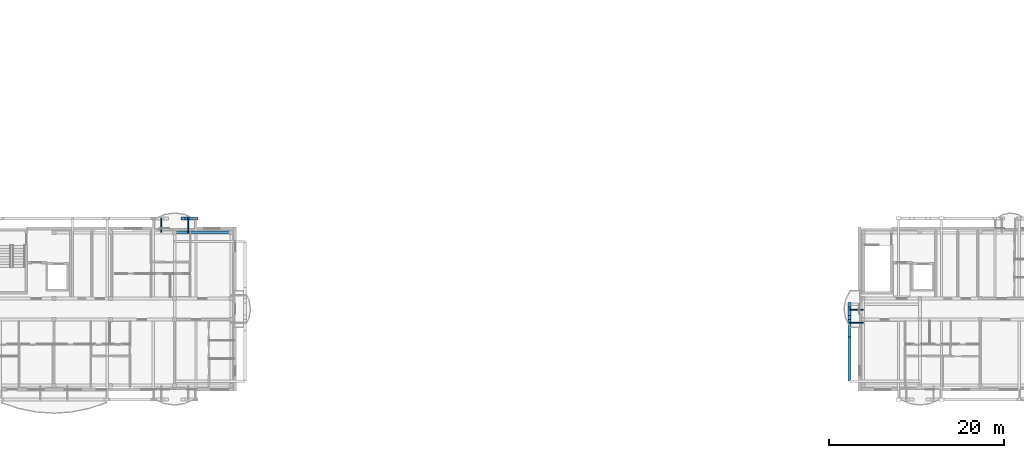
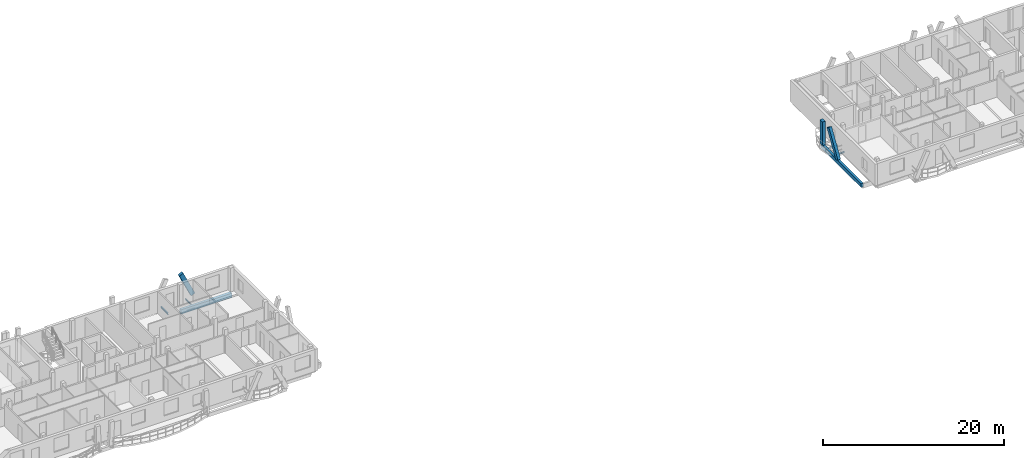
# One storey, part 4 of 41: 6 beams, 3 members.
"""IFC4 building model written with IfcOpenShell, lengths in metres."""

from ifc_helpers import new_model, si_unit, direction, frame, origin, origin_2d, place, context, subcontext, project, spatial, rectangle, i_section, extrude, material, material_profile, profile_set, type_object, element, save


model = new_model("IFC4")

# Units and contexts
model_context = context("Model", 3, precision=1e-05, world=origin(), true_north=direction((0.0, 1.0)))
body_context = subcontext(model_context, "Body", "Model", "MODEL_VIEW")
ifc_project = project(units=[si_unit("LENGTHUNIT", "METRE"), si_unit("AREAUNIT", "SQUARE_METRE"), si_unit("VOLUMEUNIT", "CUBIC_METRE"), si_unit("PLANEANGLEUNIT", "RADIAN"), si_unit("MASSUNIT", "GRAM", prefix="KILO")], contexts=[model_context])

# Site, building, storey
site_placement = place(None, origin())
site = spatial("IfcSite", under=ifc_project, at=site_placement, CompositionType="ELEMENT")
building_placement = place(site_placement, origin())
building = spatial("IfcBuilding", under=site, at=building_placement, Name="Zavelmont Quarter", CompositionType="ELEMENT")
storey_placement = place(building_placement, frame((0.0, 0.0, 27.199951171875)))
storey = spatial("IfcBuildingStorey", under=building, at=storey_placement, Name="L08", CompositionType="ELEMENT", Elevation=27.199951171875)

# Beams
ifc_material_1 = material(Name="Concrete C35/45", Category="concrete")
ifc_material_profile_1 = material_profile(ifc_material_1, rectangle(XDim=0.35009765625, YDim=0.60009765625, at=origin_2d()), Name="RC350X600")
ifc_profile_set_1 = profile_set([ifc_material_profile_1], Name="Concrete C35/45")
beam_type_1 = type_object("IfcBeamType", Name="BM01", PredefinedType="SPANDREL", material=ifc_profile_set_1)
beam_1_placement = place(storey_placement, frame((48.300048828125, 17.9599609375, -0.550048828125), z_axis=(1.0, 0.0, 0.0), x_axis=(0.0, 1.0, 0.0)))
element("IfcBeam", 1, at=beam_1_placement, inside=storey, type_object=beam_type_1, Name="L08 beam BM01 8/D to 9/D", PredefinedType="SPANDREL", context=body_context, shape_type="SweptSolid", body=[
    extrude(rectangle(XDim=0.35009765625, YDim=0.60009765625, at=origin_2d()), origin(), (0.0, 0.0, 1.0), 6.4599609375),
])
ifc_material_profile_2 = material_profile(ifc_material_1, rectangle(XDim=0.300048828125, YDim=0.5, at=origin_2d()), Name="RC300X500")
ifc_profile_set_2 = profile_set([ifc_material_profile_2], Name="Concrete C35/45")
beam_type_2 = type_object("IfcBeamType", Name="BM03", PredefinedType="BEAM", material=ifc_profile_set_2)
beam_2_placement = place(storey_placement, frame((125.449951171875, 0.949951171875, -0.25), z_axis=(0.0, 1.0, 0.0), x_axis=(-1.0, 0.0, 0.0)))
element("IfcBeam", 2, at=beam_2_placement, inside=storey, type_object=beam_type_2, Name="L08 beam BM03 19/A to 19/C", PredefinedType="BEAM", context=body_context, shape_type="SweptSolid", body=[
    extrude(rectangle(XDim=0.300048828125, YDim=0.5, at=origin_2d()), origin(), (0.0, 0.0, 1.0), 8.800048828125),
])
ifc_material_2 = material(Name="Steel S355", Category="steel")
ifc_material_profile_3 = material_profile(ifc_material_2, i_section(OverallWidth=0.110107421875, OverallDepth=0.219970703125, WebThickness=0.005859375, FlangeThickness=0.00927734375, at=origin_2d()), Name="IPE 220")
ifc_profile_set_3 = profile_set([ifc_material_profile_3], Name="Steel S355")
beam_type_3 = type_object("IfcBeamType", Name="BM15", PredefinedType="JOIST", material=ifc_profile_set_3)
for number, where, z_axis, x_axis, name in (
    (3, (46.75, 17.9599609375, -0.362060546875), (0.0, 1.0, 0.0), (-1.0, 0.0, 0.0), "L08 beam BM15 8/D to 8/D"),
    (4, (49.85009765625, 17.9599609375, -0.362060546875), (0.0, 1.0, 0.0), (-1.0, 0.0, 0.0), "L08 beam BM15 8/D to 8/D"),
    (5, (127.0400390625, 7.64990234375, -0.362060546875), (-1.0, 0.0, 0.0), (0.0, -1.0, 0.0), "L08 beam BM15 19/B to 19/B"),
    (6, (127.0400390625, 9.10009765625, -0.362060546875), (-1.0, 0.0, 0.0), (0.0, -1.0, 0.0), "L08 beam BM15 19/B to 19/B"),
):
    element("IfcBeam", number, at=place(storey_placement, frame(where, z_axis=z_axis, x_axis=x_axis)), inside=storey, type_object=beam_type_3, Name=name, PredefinedType="JOIST", context=body_context, shape_type="SweptSolid", body=[
        extrude(i_section(OverallWidth=0.110107421875, OverallDepth=0.219970703125, WebThickness=0.005859375, FlangeThickness=0.00927734375, at=origin_2d()), origin(), (0.0, 0.0, 1.0), 1.590087890625),
    ])

# Members
ifc_material_3 = material(Name="White architectural precast concrete C40/50", Category="concrete")
ifc_material_profile_4 = material_profile(ifc_material_3, rectangle(XDim=0.360107421875, YDim=0.5400390625, at=origin_2d()), Name="PCR280X420")
ifc_profile_set_4 = profile_set([ifc_material_profile_4], Name="White architectural precast concrete C40/50")
member_type = type_object("IfcMemberType", Name="VR02M", PredefinedType="CHORD", material=ifc_profile_set_4)
member_1_placement = place(storey_placement, frame((50.752685546875, 19.550048828125, 0.0), z_axis=(-0.425061890323, 0.0, 0.905164288621), x_axis=(0.0, -1.0, 0.0)))
element("IfcMember", 7, at=member_1_placement, inside=storey, type_object=member_type, Name="L08 member VR02M 8/D to 8/D", PredefinedType="CHORD", context=body_context, shape_type="SweptSolid", body=[
    extrude(rectangle(XDim=0.360107421875, YDim=0.5400390625, at=origin_2d()), origin(), (0.0, 0.0, 1.0), 3.53515625),
])
member_2_placement = place(storey_placement, frame((125.449951171875, 6.234130859375, 0.0), z_axis=(0.0, 0.533018709307, 0.846103454389), x_axis=(-1.0, 0.0, 0.0)))
element("IfcMember", 8, at=member_2_placement, inside=storey, type_object=member_type, Name="L08 member VR02M 19/B to 19/B", PredefinedType="CHORD", context=body_context, shape_type="SweptSolid", body=[
    extrude(rectangle(XDim=0.360107421875, YDim=0.5400390625, at=origin_2d()), origin(), (0.0, 0.0, 1.0), 3.781982421875),
])
member_3_placement = place(storey_placement, frame((125.449951171875, 9.699951171875, 0.0), z_axis=(0.0, 0.0, 1.0), x_axis=(1.0, 0.0, 0.0)))
element("IfcMember", 9, at=member_3_placement, inside=storey, type_object=member_type, Name="L08 member VR02M 19/C to 19/C", PredefinedType="CHORD", context=body_context, shape_type="SweptSolid", body=[
    extrude(rectangle(XDim=0.360107421875, YDim=0.5400390625, at=origin_2d()), origin(), (0.0, 0.0, 1.0), 3.199951171875),
])

save(model, "model.ifc")
